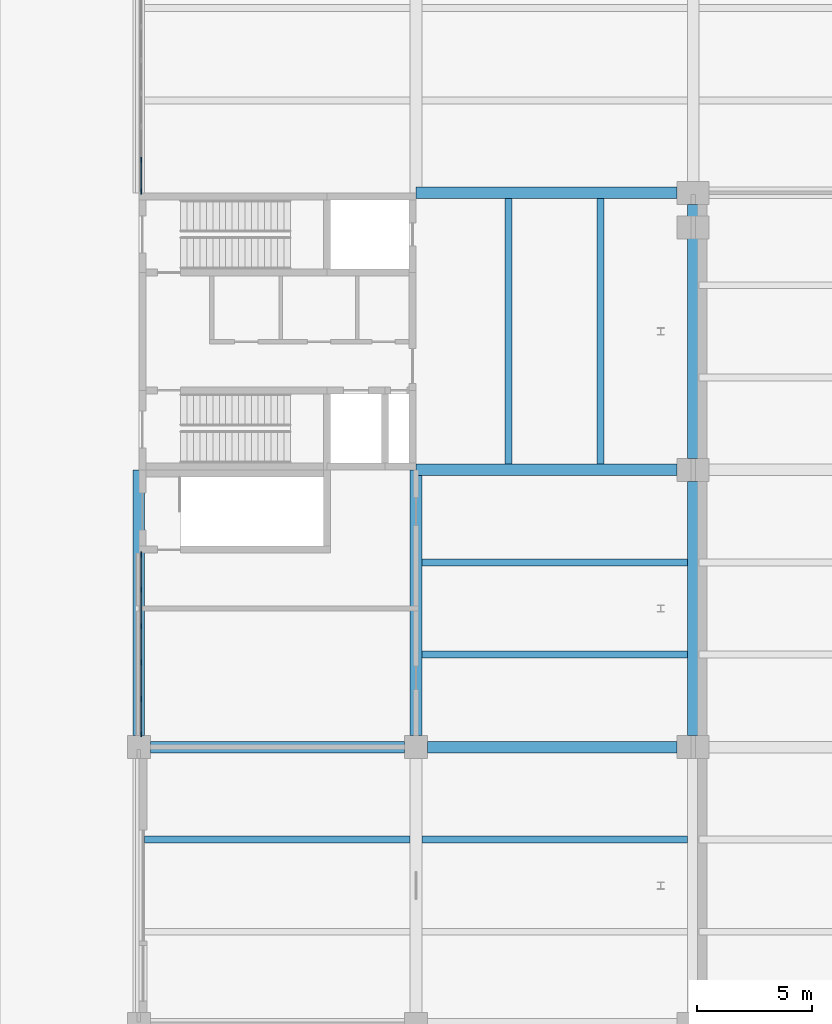
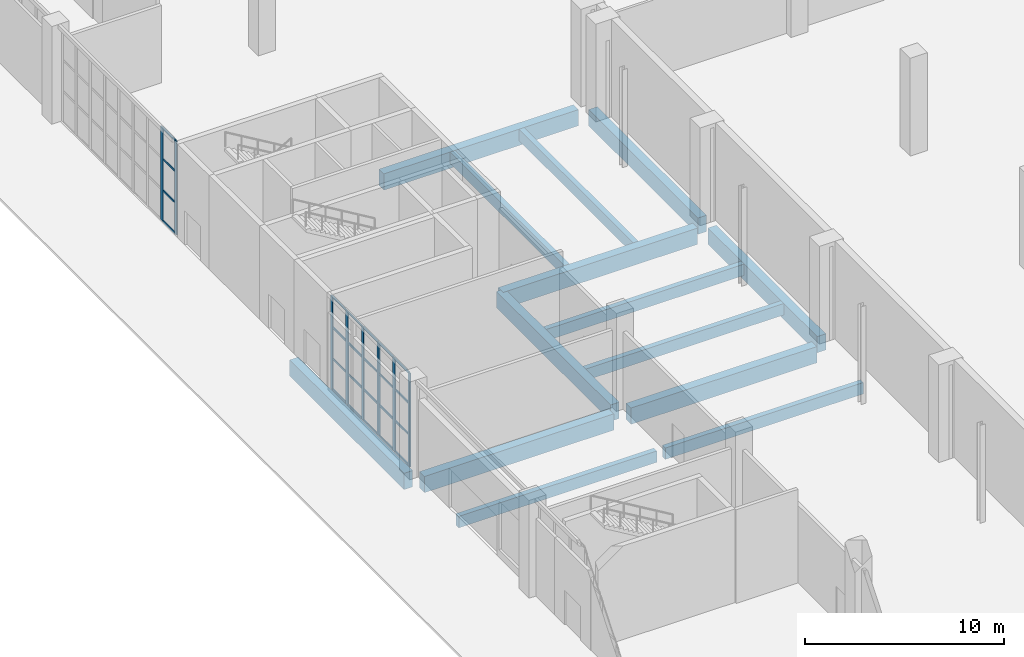
# One storey, part 18 of 59: 32 members, 14 beams, 2 elements without a shape of their own.
"""IFC4 building model written with IfcOpenShell, lengths in metres."""

from ifc_helpers import new_model, si_unit, direction, frame, origin, origin_2d, place, context, subcontext, project, spatial, rectangle, extrude, material, layer, layer_set, material_profile, profile_set, type_object, element, aggregate, save


model = new_model("IFC4")

# Units and contexts
model_context = context("Model", 3, precision=1e-05, world=origin(), true_north=direction((0.0, 1.0)))
body_context = subcontext(model_context, "Body", "Model", "MODEL_VIEW")
ifc_project = project(units=[si_unit("LENGTHUNIT", "METRE"), si_unit("AREAUNIT", "SQUARE_METRE"), si_unit("VOLUMEUNIT", "CUBIC_METRE"), si_unit("PLANEANGLEUNIT", "RADIAN"), si_unit("MASSUNIT", "GRAM", prefix="KILO")], contexts=[model_context])

# Site, building, storey
site_placement = place(None, origin())
site = spatial("IfcSite", under=ifc_project, at=site_placement, CompositionType="ELEMENT")
building_placement = place(site_placement, origin())
building = spatial("IfcBuilding", under=site, at=building_placement, Name="Lilac Gate Convention Centre", CompositionType="ELEMENT")
storey_placement = place(building_placement, origin())
storey = spatial("IfcBuildingStorey", under=building, at=storey_placement, Name="L00", CompositionType="ELEMENT", Elevation=0.0)

# Curtain wall, members
ifc_material_1 = material(Name="Aluminium framed double glazing", Category="aluminium")
ifc_layer = layer(ifc_material_1, 0.199951171875)
ifc_layer_set = layer_set([ifc_layer], Name="Aluminium framed double glazing")
curtain_wall_type = type_object("IfcCurtainWallType", Name="Unitised curtain wall 1500", PredefinedType="NOTDEFINED", material=ifc_layer_set)
curtain_wall_1_placement = place(storey_placement, origin())
curtain_wall_1 = element("IfcCurtainWall", 1, at=curtain_wall_1_placement, inside=storey, type_object=curtain_wall_type, Name="Curtain wall PW L00 1", PredefinedType="NOTDEFINED")
ifc_material_2 = material(Name="Aluminium alloy 6063", Category="aluminium")
ifc_material_profile_1 = material_profile(ifc_material_2, rectangle(XDim=0.06005859375, YDim=0.219970703125, at=origin_2d()), Name="Curtain wall mullion 60 x 220")
ifc_profile_set_1 = profile_set([ifc_material_profile_1], Name="Aluminium alloy 6063")
member_type_1 = type_object("IfcMemberType", Name="Curtain wall mullion 60 x 220", PredefinedType="MULLION", material=ifc_profile_set_1)
member_1_placement = place(storey_placement, frame((6.10009765625, 206.33984375, 0.0), z_axis=(0.0, 0.0, 1.0), x_axis=(1.0, 0.0, 0.0)))
member_1 = element("IfcMember", 2, at=member_1_placement, type_object=member_type_1, Name="CW mullion 1", PredefinedType="MULLION", context=body_context, shape_type="SweptSolid", body=[
    extrude(rectangle(XDim=0.06005859375, YDim=0.219970703125, at=origin_2d()), origin(), (0.0, 0.0, 1.0), 5.75),
])
member_2_placement = place(storey_placement, frame((6.10009765625, 204.81982421875, 0.0), z_axis=(0.0, 0.0, 1.0), x_axis=(1.0, 0.0, 0.0)))
member_2 = element("IfcMember", 3, at=member_2_placement, type_object=member_type_1, Name="CW mullion 2", PredefinedType="MULLION", context=body_context, shape_type="SweptSolid", body=[
    extrude(rectangle(XDim=0.06005859375, YDim=0.219970703125, at=origin_2d()), origin(), (0.0, 0.0, 1.0), 5.75),
])
member_3_placement = place(storey_placement, frame((6.10009765625, 203.239990234375, 0.0), z_axis=(0.0, 0.0, 1.0), x_axis=(1.0, 0.0, 0.0)))
member_3 = element("IfcMember", 4, at=member_3_placement, type_object=member_type_1, Name="CW mullion 3", PredefinedType="MULLION", context=body_context, shape_type="SweptSolid", body=[
    extrude(rectangle(XDim=0.06005859375, YDim=0.219970703125, at=origin_2d()), origin(), (0.0, 0.0, 1.0), 5.75),
])
member_4_placement = place(storey_placement, frame((6.10009765625, 201.659912109375, 0.0), z_axis=(0.0, 0.0, 1.0), x_axis=(1.0, 0.0, 0.0)))
member_4 = element("IfcMember", 5, at=member_4_placement, type_object=member_type_1, Name="CW mullion 4", PredefinedType="MULLION", context=body_context, shape_type="SweptSolid", body=[
    extrude(rectangle(XDim=0.06005859375, YDim=0.219970703125, at=origin_2d()), origin(), (0.0, 0.0, 1.0), 5.75),
])
member_5_placement = place(storey_placement, frame((6.10009765625, 200.080078125, 0.0), z_axis=(0.0, 0.0, 1.0), x_axis=(1.0, 0.0, 0.0)))
member_5 = element("IfcMember", 6, at=member_5_placement, type_object=member_type_1, Name="CW mullion 5", PredefinedType="MULLION", context=body_context, shape_type="SweptSolid", body=[
    extrude(rectangle(XDim=0.06005859375, YDim=0.219970703125, at=origin_2d()), origin(), (0.0, 0.0, 1.0), 5.75),
])
member_6_placement = place(storey_placement, frame((6.10009765625, 198.56005859375, 0.0), z_axis=(0.0, 0.0, 1.0), x_axis=(1.0, 0.0, 0.0)))
member_6 = element("IfcMember", 7, at=member_6_placement, type_object=member_type_1, Name="CW mullion 6", PredefinedType="MULLION", context=body_context, shape_type="SweptSolid", body=[
    extrude(rectangle(XDim=0.06005859375, YDim=0.219970703125, at=origin_2d()), origin(), (0.0, 0.0, 1.0), 5.75),
])

curtain_wall_2_placement = place(storey_placement, origin())
curtain_wall_2 = element("IfcCurtainWall", 8, at=curtain_wall_2_placement, inside=storey, type_object=curtain_wall_type, Name="Curtain wall GW L00 2", PredefinedType="NOTDEFINED")
member_7_placement = place(storey_placement, frame((6.10009765625, 223.4375, 0.0), z_axis=(0.0, 0.0, 1.0), x_axis=(1.0, 0.0, 0.0)))
member_7 = element("IfcMember", 9, at=member_7_placement, type_object=member_type_1, Name="CW mullion 8", PredefinedType="MULLION", context=body_context, shape_type="SweptSolid", body=[
    extrude(rectangle(XDim=0.06005859375, YDim=0.219970703125, at=origin_2d()), origin(), (0.0, 0.0, 1.0), 5.75),
])
member_8_placement = place(storey_placement, frame((6.10009765625, 222.06005859375, 0.0), z_axis=(0.0, 0.0, 1.0), x_axis=(1.0, 0.0, 0.0)))
member_8 = element("IfcMember", 10, at=member_8_placement, type_object=member_type_1, Name="CW mullion 9", PredefinedType="MULLION", context=body_context, shape_type="SweptSolid", body=[
    extrude(rectangle(XDim=0.06005859375, YDim=0.219970703125, at=origin_2d()), origin(), (0.0, 0.0, 1.0), 5.75),
])

# Member
ifc_material_profile_2 = material_profile(ifc_material_2, rectangle(XDim=0.06005859375, YDim=0.1201171875, at=origin_2d()), Name="Curtain wall transom 60 x 120")
ifc_profile_set_2 = profile_set([ifc_material_profile_2], Name="Aluminium alloy 6063")
member_type_2 = type_object("IfcMemberType", Name="Curtain wall transom 60 x 120", PredefinedType="USERDEFINED", material=ifc_profile_set_2)
member_9_placement = place(storey_placement, frame((6.10009765625, 206.33984375, 0.030029296875), z_axis=(0.0, -1.0, 0.0), x_axis=(1.0, 0.0, 0.0)))
member_9 = element("IfcMember", 11, at=member_9_placement, type_object=member_type_2, Name="CW transom 1.1", ObjectType="TRANSOM", PredefinedType="USERDEFINED", context=body_context, shape_type="SweptSolid", body=[
    extrude(rectangle(XDim=0.06005859375, YDim=0.1201171875, at=origin_2d()), origin(), (0.0, 0.0, 1.0), 1.489990234375),
])

member_10_placement = place(storey_placement, frame((6.10009765625, 206.33984375, 1.916748046875), z_axis=(0.0, -1.0, 0.0), x_axis=(1.0, 0.0, 0.0)))
member_10 = element("IfcMember", 12, at=member_10_placement, type_object=member_type_2, Name="CW transom 1.2", ObjectType="TRANSOM", PredefinedType="USERDEFINED", context=body_context, shape_type="SweptSolid", body=[
    extrude(rectangle(XDim=0.06005859375, YDim=0.1201171875, at=origin_2d()), origin(), (0.0, 0.0, 1.0), 1.489990234375),
])

member_11_placement = place(storey_placement, frame((6.10009765625, 206.33984375, 3.833251953125), z_axis=(0.0, -1.0, 0.0), x_axis=(1.0, 0.0, 0.0)))
member_11 = element("IfcMember", 13, at=member_11_placement, type_object=member_type_2, Name="CW transom 1.3", ObjectType="TRANSOM", PredefinedType="USERDEFINED", context=body_context, shape_type="SweptSolid", body=[
    extrude(rectangle(XDim=0.06005859375, YDim=0.1201171875, at=origin_2d()), origin(), (0.0, 0.0, 1.0), 1.489990234375),
])

member_12_placement = place(storey_placement, frame((6.10009765625, 206.33984375, 5.719970703125), z_axis=(0.0, -1.0, 0.0), x_axis=(1.0, 0.0, 0.0)))
member_12 = element("IfcMember", 14, at=member_12_placement, type_object=member_type_2, Name="CW transom 1.4", ObjectType="TRANSOM", PredefinedType="USERDEFINED", context=body_context, shape_type="SweptSolid", body=[
    extrude(rectangle(XDim=0.06005859375, YDim=0.1201171875, at=origin_2d()), origin(), (0.0, 0.0, 1.0), 1.489990234375),
])

member_13_placement = place(storey_placement, frame((6.10009765625, 204.7900390625, 0.030029296875), z_axis=(0.0, -1.0, 0.0), x_axis=(1.0, 0.0, 0.0)))
member_13 = element("IfcMember", 15, at=member_13_placement, type_object=member_type_2, Name="CW transom 2.1", ObjectType="TRANSOM", PredefinedType="USERDEFINED", context=body_context, shape_type="SweptSolid", body=[
    extrude(rectangle(XDim=0.06005859375, YDim=0.1201171875, at=origin_2d()), origin(), (0.0, 0.0, 1.0), 1.52001953125),
])

member_14_placement = place(storey_placement, frame((6.10009765625, 204.7900390625, 1.916748046875), z_axis=(0.0, -1.0, 0.0), x_axis=(1.0, 0.0, 0.0)))
member_14 = element("IfcMember", 16, at=member_14_placement, type_object=member_type_2, Name="CW transom 2.2", ObjectType="TRANSOM", PredefinedType="USERDEFINED", context=body_context, shape_type="SweptSolid", body=[
    extrude(rectangle(XDim=0.06005859375, YDim=0.1201171875, at=origin_2d()), origin(), (0.0, 0.0, 1.0), 1.52001953125),
])

member_15_placement = place(storey_placement, frame((6.10009765625, 204.7900390625, 3.833251953125), z_axis=(0.0, -1.0, 0.0), x_axis=(1.0, 0.0, 0.0)))
member_15 = element("IfcMember", 17, at=member_15_placement, type_object=member_type_2, Name="CW transom 2.3", ObjectType="TRANSOM", PredefinedType="USERDEFINED", context=body_context, shape_type="SweptSolid", body=[
    extrude(rectangle(XDim=0.06005859375, YDim=0.1201171875, at=origin_2d()), origin(), (0.0, 0.0, 1.0), 1.52001953125),
])

member_16_placement = place(storey_placement, frame((6.10009765625, 204.7900390625, 5.719970703125), z_axis=(0.0, -1.0, 0.0), x_axis=(1.0, 0.0, 0.0)))
member_16 = element("IfcMember", 18, at=member_16_placement, type_object=member_type_2, Name="CW transom 2.4", ObjectType="TRANSOM", PredefinedType="USERDEFINED", context=body_context, shape_type="SweptSolid", body=[
    extrude(rectangle(XDim=0.06005859375, YDim=0.1201171875, at=origin_2d()), origin(), (0.0, 0.0, 1.0), 1.52001953125),
])

member_17_placement = place(storey_placement, frame((6.10009765625, 203.2099609375, 0.030029296875), z_axis=(0.0, -1.0, 0.0), x_axis=(1.0, 0.0, 0.0)))
member_17 = element("IfcMember", 19, at=member_17_placement, type_object=member_type_2, Name="CW transom 3.1", ObjectType="TRANSOM", PredefinedType="USERDEFINED", context=body_context, shape_type="SweptSolid", body=[
    extrude(rectangle(XDim=0.06005859375, YDim=0.1201171875, at=origin_2d()), origin(), (0.0, 0.0, 1.0), 1.52001953125),
])

member_18_placement = place(storey_placement, frame((6.10009765625, 203.2099609375, 1.916748046875), z_axis=(0.0, -1.0, 0.0), x_axis=(1.0, 0.0, 0.0)))
member_18 = element("IfcMember", 20, at=member_18_placement, type_object=member_type_2, Name="CW transom 3.2", ObjectType="TRANSOM", PredefinedType="USERDEFINED", context=body_context, shape_type="SweptSolid", body=[
    extrude(rectangle(XDim=0.06005859375, YDim=0.1201171875, at=origin_2d()), origin(), (0.0, 0.0, 1.0), 1.52001953125),
])

member_19_placement = place(storey_placement, frame((6.10009765625, 203.2099609375, 3.833251953125), z_axis=(0.0, -1.0, 0.0), x_axis=(1.0, 0.0, 0.0)))
member_19 = element("IfcMember", 21, at=member_19_placement, type_object=member_type_2, Name="CW transom 3.3", ObjectType="TRANSOM", PredefinedType="USERDEFINED", context=body_context, shape_type="SweptSolid", body=[
    extrude(rectangle(XDim=0.06005859375, YDim=0.1201171875, at=origin_2d()), origin(), (0.0, 0.0, 1.0), 1.52001953125),
])

member_20_placement = place(storey_placement, frame((6.10009765625, 203.2099609375, 5.719970703125), z_axis=(0.0, -1.0, 0.0), x_axis=(1.0, 0.0, 0.0)))
member_20 = element("IfcMember", 22, at=member_20_placement, type_object=member_type_2, Name="CW transom 3.4", ObjectType="TRANSOM", PredefinedType="USERDEFINED", context=body_context, shape_type="SweptSolid", body=[
    extrude(rectangle(XDim=0.06005859375, YDim=0.1201171875, at=origin_2d()), origin(), (0.0, 0.0, 1.0), 1.52001953125),
])

member_21_placement = place(storey_placement, frame((6.10009765625, 201.6298828125, 0.030029296875), z_axis=(0.0, -1.0, 0.0), x_axis=(1.0, 0.0, 0.0)))
member_21 = element("IfcMember", 23, at=member_21_placement, type_object=member_type_2, Name="CW transom 4.1", ObjectType="TRANSOM", PredefinedType="USERDEFINED", context=body_context, shape_type="SweptSolid", body=[
    extrude(rectangle(XDim=0.06005859375, YDim=0.1201171875, at=origin_2d()), origin(), (0.0, 0.0, 1.0), 1.52001953125),
])

member_22_placement = place(storey_placement, frame((6.10009765625, 201.6298828125, 1.916748046875), z_axis=(0.0, -1.0, 0.0), x_axis=(1.0, 0.0, 0.0)))
member_22 = element("IfcMember", 24, at=member_22_placement, type_object=member_type_2, Name="CW transom 4.2", ObjectType="TRANSOM", PredefinedType="USERDEFINED", context=body_context, shape_type="SweptSolid", body=[
    extrude(rectangle(XDim=0.06005859375, YDim=0.1201171875, at=origin_2d()), origin(), (0.0, 0.0, 1.0), 1.52001953125),
])

member_23_placement = place(storey_placement, frame((6.10009765625, 201.6298828125, 3.833251953125), z_axis=(0.0, -1.0, 0.0), x_axis=(1.0, 0.0, 0.0)))
member_23 = element("IfcMember", 25, at=member_23_placement, type_object=member_type_2, Name="CW transom 4.3", ObjectType="TRANSOM", PredefinedType="USERDEFINED", context=body_context, shape_type="SweptSolid", body=[
    extrude(rectangle(XDim=0.06005859375, YDim=0.1201171875, at=origin_2d()), origin(), (0.0, 0.0, 1.0), 1.52001953125),
])

member_24_placement = place(storey_placement, frame((6.10009765625, 201.6298828125, 5.719970703125), z_axis=(0.0, -1.0, 0.0), x_axis=(1.0, 0.0, 0.0)))
member_24 = element("IfcMember", 26, at=member_24_placement, type_object=member_type_2, Name="CW transom 4.4", ObjectType="TRANSOM", PredefinedType="USERDEFINED", context=body_context, shape_type="SweptSolid", body=[
    extrude(rectangle(XDim=0.06005859375, YDim=0.1201171875, at=origin_2d()), origin(), (0.0, 0.0, 1.0), 1.52001953125),
])

member_25_placement = place(storey_placement, frame((6.10009765625, 200.050048828125, 0.030029296875), z_axis=(0.0, -1.0, 0.0), x_axis=(1.0, 0.0, 0.0)))
member_25 = element("IfcMember", 27, at=member_25_placement, type_object=member_type_2, Name="CW transom 5.1", ObjectType="TRANSOM", PredefinedType="USERDEFINED", context=body_context, shape_type="SweptSolid", body=[
    extrude(rectangle(XDim=0.06005859375, YDim=0.1201171875, at=origin_2d()), origin(), (0.0, 0.0, 1.0), 1.489990234375),
])

member_26_placement = place(storey_placement, frame((6.10009765625, 200.050048828125, 1.916748046875), z_axis=(0.0, -1.0, 0.0), x_axis=(1.0, 0.0, 0.0)))
member_26 = element("IfcMember", 28, at=member_26_placement, type_object=member_type_2, Name="CW transom 5.2", ObjectType="TRANSOM", PredefinedType="USERDEFINED", context=body_context, shape_type="SweptSolid", body=[
    extrude(rectangle(XDim=0.06005859375, YDim=0.1201171875, at=origin_2d()), origin(), (0.0, 0.0, 1.0), 1.489990234375),
])

member_27_placement = place(storey_placement, frame((6.10009765625, 200.050048828125, 3.833251953125), z_axis=(0.0, -1.0, 0.0), x_axis=(1.0, 0.0, 0.0)))
member_27 = element("IfcMember", 29, at=member_27_placement, type_object=member_type_2, Name="CW transom 5.3", ObjectType="TRANSOM", PredefinedType="USERDEFINED", context=body_context, shape_type="SweptSolid", body=[
    extrude(rectangle(XDim=0.06005859375, YDim=0.1201171875, at=origin_2d()), origin(), (0.0, 0.0, 1.0), 1.489990234375),
])

member_28_placement = place(storey_placement, frame((6.10009765625, 200.050048828125, 5.719970703125), z_axis=(0.0, -1.0, 0.0), x_axis=(1.0, 0.0, 0.0)))
member_28 = element("IfcMember", 30, at=member_28_placement, type_object=member_type_2, Name="CW transom 5.4", ObjectType="TRANSOM", PredefinedType="USERDEFINED", context=body_context, shape_type="SweptSolid", body=[
    extrude(rectangle(XDim=0.06005859375, YDim=0.1201171875, at=origin_2d()), origin(), (0.0, 0.0, 1.0), 1.489990234375),
])

aggregate(curtain_wall_1, [member_1, member_2, member_3, member_4, member_5, member_6, member_9, member_10, member_11, member_12, member_13, member_14, member_15, member_16, member_17, member_18, member_19, member_20, member_21, member_22, member_23, member_24, member_25, member_26, member_27, member_28])

member_29_placement = place(storey_placement, frame((6.10009765625, 223.407470703125, 0.030029296875), z_axis=(0.0, -1.0, 0.0), x_axis=(1.0, 0.0, 0.0)))
member_29 = element("IfcMember", 31, at=member_29_placement, type_object=member_type_2, Name="CW transom 8.1", ObjectType="TRANSOM", PredefinedType="USERDEFINED", context=body_context, shape_type="SweptSolid", body=[
    extrude(rectangle(XDim=0.06005859375, YDim=0.1201171875, at=origin_2d()), origin(), (0.0, 0.0, 1.0), 1.347412109375),
])

member_30_placement = place(storey_placement, frame((6.10009765625, 223.407470703125, 1.916748046875), z_axis=(0.0, -1.0, 0.0), x_axis=(1.0, 0.0, 0.0)))
member_30 = element("IfcMember", 32, at=member_30_placement, type_object=member_type_2, Name="CW transom 8.2", ObjectType="TRANSOM", PredefinedType="USERDEFINED", context=body_context, shape_type="SweptSolid", body=[
    extrude(rectangle(XDim=0.06005859375, YDim=0.1201171875, at=origin_2d()), origin(), (0.0, 0.0, 1.0), 1.347412109375),
])

member_31_placement = place(storey_placement, frame((6.10009765625, 223.407470703125, 3.833251953125), z_axis=(0.0, -1.0, 0.0), x_axis=(1.0, 0.0, 0.0)))
member_31 = element("IfcMember", 33, at=member_31_placement, type_object=member_type_2, Name="CW transom 8.3", ObjectType="TRANSOM", PredefinedType="USERDEFINED", context=body_context, shape_type="SweptSolid", body=[
    extrude(rectangle(XDim=0.06005859375, YDim=0.1201171875, at=origin_2d()), origin(), (0.0, 0.0, 1.0), 1.347412109375),
])

member_32_placement = place(storey_placement, frame((6.10009765625, 223.407470703125, 5.719970703125), z_axis=(0.0, -1.0, 0.0), x_axis=(1.0, 0.0, 0.0)))
member_32 = element("IfcMember", 34, at=member_32_placement, type_object=member_type_2, Name="CW transom 8.4", ObjectType="TRANSOM", PredefinedType="USERDEFINED", context=body_context, shape_type="SweptSolid", body=[
    extrude(rectangle(XDim=0.06005859375, YDim=0.1201171875, at=origin_2d()), origin(), (0.0, 0.0, 1.0), 1.347412109375),
])

aggregate(curtain_wall_2, [member_7, member_8, member_29, member_30, member_31, member_32])

# Beams
ifc_material_3 = material(Name="Concrete C40", Category="concrete")
ifc_material_profile_3 = material_profile(ifc_material_3, rectangle(XDim=0.5, YDim=1.0, at=origin_2d()), Name="RC 500x1000")
ifc_profile_set_3 = profile_set([ifc_material_profile_3], Name="Concrete C40")
beam_type_1 = type_object("IfcBeamType", Name="Primary beam 500x1000 C40", PredefinedType="BEAM", material=ifc_profile_set_3)
beam_1_placement = place(storey_placement, frame((6.5, 198.0, -0.800048828125), z_axis=(1.0, 0.0, 0.0), x_axis=(0.0, 1.0, 0.0)))
element("IfcBeam", 35, at=beam_1_placement, inside=storey, type_object=beam_type_1, Name="RB1 L00 1/Q-2/Q", PredefinedType="BEAM", context=body_context, shape_type="SweptSolid", body=[
    extrude(rectangle(XDim=0.5, YDim=1.0, at=origin_2d()), origin(), (0.0, 0.0, 1.0), 11.0),
])
beam_2_placement = place(storey_placement, frame((18.5, 198.0, -0.800048828125), z_axis=(1.0, 0.0, 0.0), x_axis=(0.0, 1.0, 0.0)))
element("IfcBeam", 36, at=beam_2_placement, inside=storey, type_object=beam_type_1, Name="RB1 L00 2/Q-3/Q", PredefinedType="BEAM", context=body_context, shape_type="SweptSolid", body=[
    extrude(rectangle(XDim=0.5, YDim=1.0, at=origin_2d()), origin(), (0.0, 0.0, 1.0), 10.800048828125),
])
for number, where, z_axis, x_axis, name in (
    (37, (18.0, 210.0, -0.800048828125), (1.0, 0.0, 0.0), (0.0, 1.0, 0.0), "RB1 L00 2/R-3/R"),
    (38, (18.0, 222.0, -0.800048828125), (1.0, 0.0, 0.0), (0.0, 1.0, 0.0), "RB1 L00 2/S-3/S"),
):
    element("IfcBeam", number, at=place(storey_placement, frame(where, z_axis=z_axis, x_axis=x_axis)), inside=storey, type_object=beam_type_1, Name=name, PredefinedType="BEAM", context=body_context, shape_type="SweptSolid", body=[
        extrude(rectangle(XDim=0.5, YDim=1.0, at=origin_2d()), origin(), (0.0, 0.0, 1.0), 11.300048828125),
    ])
for number, where, z_axis, x_axis, name in (
    (39, (6.0, 198.5, -0.800048828125), (0.0, 1.0, 0.0), (-1.0, 0.0, 0.0), "RB1 L00 1/Q-1/R"),
    (40, (18.0, 198.5, -0.800048828125), (0.0, 1.0, 0.0), (-1.0, 0.0, 0.0), "RB1 L00 2/Q-2/R"),
):
    element("IfcBeam", number, at=place(storey_placement, frame(where, z_axis=z_axis, x_axis=x_axis)), inside=storey, type_object=beam_type_1, Name=name, PredefinedType="BEAM", context=body_context, shape_type="SweptSolid", body=[
        extrude(rectangle(XDim=0.5, YDim=1.0, at=origin_2d()), origin(), (0.0, 0.0, 1.0), 11.5),
    ])
for number, where, z_axis, x_axis, name in (
    (41, (30.0, 198.5, -0.800048828125), (0.0, 1.0, 0.0), (-1.0, 0.0, 0.0), "RB1 L00 3/Q-3/R"),
    (42, (30.0, 210.5, -0.800048828125), (0.0, 1.0, 0.0), (-1.0, 0.0, 0.0), "RB1 L00 3/R-3/S"),
):
    element("IfcBeam", number, at=place(storey_placement, frame(where, z_axis=z_axis, x_axis=x_axis)), inside=storey, type_object=beam_type_1, Name=name, PredefinedType="BEAM", context=body_context, shape_type="SweptSolid", body=[
        extrude(rectangle(XDim=0.5, YDim=1.0, at=origin_2d()), origin(), (0.0, 0.0, 1.0), 11.0),
    ])
ifc_material_profile_4 = material_profile(ifc_material_3, rectangle(XDim=0.300048828125, YDim=0.699951171875, at=origin_2d()), Name="RC 300x700")
ifc_profile_set_4 = profile_set([ifc_material_profile_4], Name="Concrete C40")
beam_type_2 = type_object("IfcBeamType", Name="Secondary beam 300x700 C40", PredefinedType="BEAM", material=ifc_profile_set_4)
for number, where, z_axis, x_axis, name in (
    (43, (6.25, 194.0, -0.64990234375), (1.0, 0.0, 0.0), (0.0, 1.0, 0.0), "RB2 L00 bay 1/P"),
    (44, (18.25, 194.0, -0.64990234375), (1.0, 0.0, 0.0), (0.0, 1.0, 0.0), "RB2 L00 bay 2/P"),
    (45, (18.25, 202.0, -0.64990234375), (1.0, 0.0, 0.0), (0.0, 1.0, 0.0), "RB2 L00 bay 2/Q"),
    (46, (18.25, 206.0, -0.64990234375), (1.0, 0.0, 0.0), (0.0, 1.0, 0.0), "RB2 L00 bay 2/Q"),
    (47, (22.0, 210.25, -0.64990234375), (0.0, 1.0, 0.0), (-1.0, 0.0, 0.0), "RB2 L00 bay 2/R"),
    (48, (26.0, 210.25, -0.64990234375), (0.0, 1.0, 0.0), (-1.0, 0.0, 0.0), "RB2 L00 bay 2/R"),
):
    element("IfcBeam", number, at=place(storey_placement, frame(where, z_axis=z_axis, x_axis=x_axis)), inside=storey, type_object=beam_type_2, Name=name, PredefinedType="BEAM", context=body_context, shape_type="SweptSolid", body=[
        extrude(rectangle(XDim=0.300048828125, YDim=0.699951171875, at=origin_2d()), origin(), (0.0, 0.0, 1.0), 11.5),
    ])

save(model, "model.ifc")
